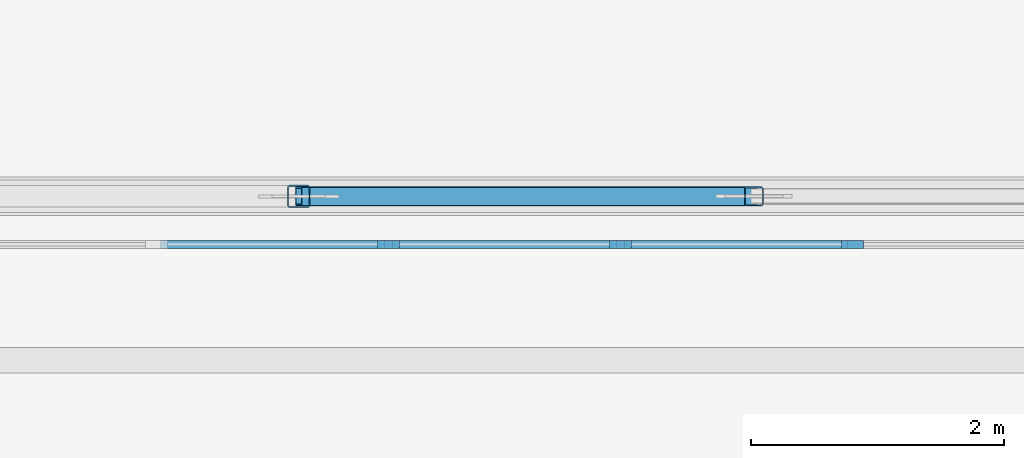
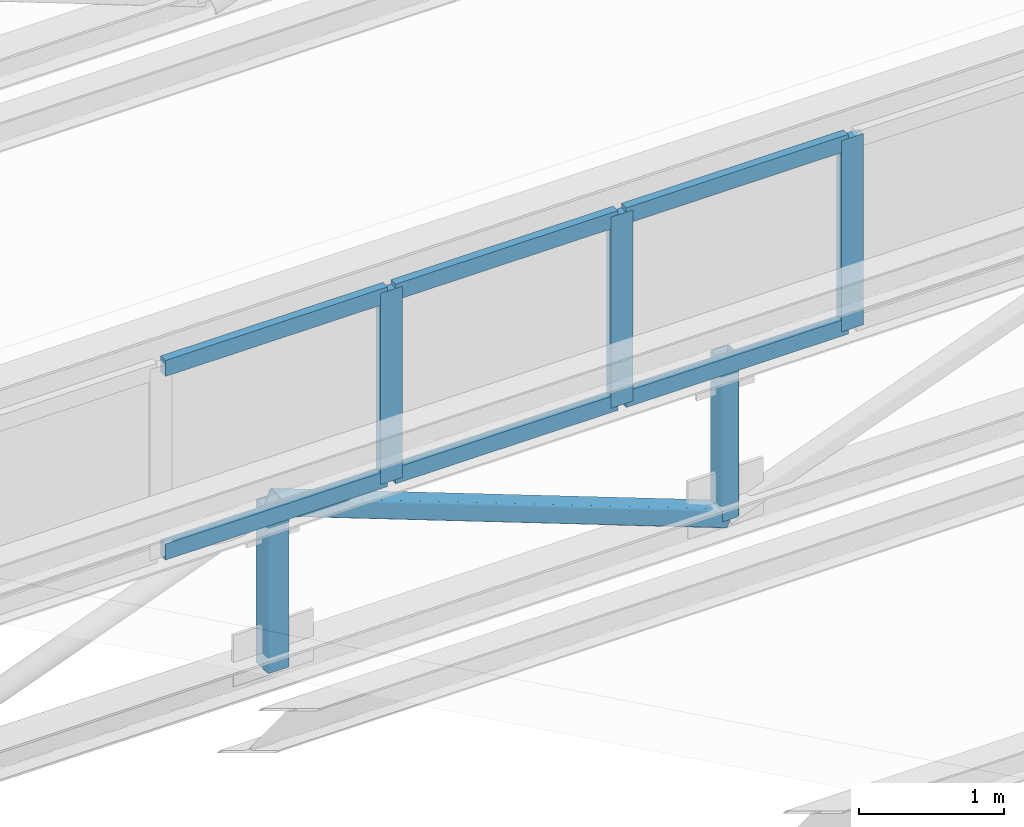
# One storey, part 17 of 98: 12 members, 1 element without a shape of its own.
"""IFC4 building model written with IfcOpenShell, lengths in metres."""

from ifc_helpers import new_model, si_unit, direction, frame, origin, origin_2d, place, context, subcontext, project, spatial, rectangle, hollow_rectangle, extrude, material, layer, layer_set, material_profile, profile_set, type_object, element, aggregate, save


model = new_model("IFC4")

# Units and contexts
model_context = context("Model", 3, precision=1e-05, world=origin(), true_north=direction((0.0, 1.0)))
body_context = subcontext(model_context, "Body", "Model", "MODEL_VIEW")
ifc_project = project(units=[si_unit("LENGTHUNIT", "METRE"), si_unit("AREAUNIT", "SQUARE_METRE"), si_unit("VOLUMEUNIT", "CUBIC_METRE"), si_unit("PLANEANGLEUNIT", "RADIAN"), si_unit("MASSUNIT", "GRAM", prefix="KILO")], contexts=[model_context])

# Site, building, storey
site_placement = place(None, origin())
site = spatial("IfcSite", under=ifc_project, at=site_placement, CompositionType="ELEMENT")
building_placement = place(site_placement, origin())
building = spatial("IfcBuilding", under=site, at=building_placement, Name="Solenvale Faculty of Natural Sciences", CompositionType="ELEMENT")
storey_placement = place(building_placement, frame((0.0, 0.0, 9.0)))
storey = spatial("IfcBuildingStorey", under=building, at=storey_placement, Name="L02", CompositionType="ELEMENT", Elevation=9.0)

# Curtain wall, members
ifc_material_1 = material(Name="Anodised bronze aluminium", Category="aluminium")
ifc_layer = layer(ifc_material_1, 0.1650390625)
ifc_layer_set = layer_set([ifc_layer], Name="Anodised bronze aluminium")
curtain_wall_type = type_object("IfcCurtainWallType", Name="CW-SAW-CLR", PredefinedType="USERDEFINED", material=ifc_layer_set)
curtain_wall_placement = place(storey_placement, origin())
curtain_wall = element("IfcCurtainWall", 1, at=curtain_wall_placement, inside=storey, type_object=curtain_wall_type, Name="L02 Curtain Wall SAW-V1-CW-4-1", ObjectType="NORTH LIGHT CLERESTORY", PredefinedType="USERDEFINED")
ifc_material_profile_1 = material_profile(ifc_material_1, rectangle(XDim=0.06494140625, YDim=0.175048828125, at=origin_2d()), Name="ALU-MUL-65x175")
ifc_profile_set_1 = profile_set([ifc_material_profile_1], Name="Anodised bronze aluminium")
member_type_1 = type_object("IfcMemberType", Name="CWM-ALU-65x175", PredefinedType="MULLION", material=ifc_profile_set_1)
member_1_placement = place(storey_placement, frame((7.978759765625, 28.419921875, 2.22998046875), z_axis=(0.0, 0.0, 1.0), x_axis=(0.0, -1.0, 0.0)))
member_1 = element("IfcMember", 2, at=member_1_placement, type_object=member_type_1, Name="CW-05 mullion 12", PredefinedType="MULLION", context=body_context, shape_type="SweptSolid", body=[
    extrude(rectangle(XDim=0.06494140625, YDim=0.175048828125, at=origin_2d()), origin(), (0.0, 0.0, 1.0), 1.610107421875),
])
member_2_placement = place(storey_placement, frame((6.14404296875, 28.419921875, 2.22998046875), z_axis=(0.0, 0.0, 1.0), x_axis=(0.0, -1.0, 0.0)))
member_2 = element("IfcMember", 3, at=member_2_placement, type_object=member_type_1, Name="CW-05 mullion 13", PredefinedType="MULLION", context=body_context, shape_type="SweptSolid", body=[
    extrude(rectangle(XDim=0.06494140625, YDim=0.175048828125, at=origin_2d()), origin(), (0.0, 0.0, 1.0), 1.610107421875),
])
member_3_placement = place(storey_placement, frame((4.309326171875, 28.419921875, 2.22998046875), z_axis=(0.0, 0.0, 1.0), x_axis=(0.0, -1.0, 0.0)))
member_3 = element("IfcMember", 4, at=member_3_placement, type_object=member_type_1, Name="CW-05 mullion 14", PredefinedType="MULLION", context=body_context, shape_type="SweptSolid", body=[
    extrude(rectangle(XDim=0.06494140625, YDim=0.175048828125, at=origin_2d()), origin(), (0.0, 0.0, 1.0), 1.610107421875),
])
ifc_material_profile_2 = material_profile(ifc_material_1, rectangle(XDim=0.06494140625, YDim=0.135009765625, at=origin_2d()), Name="ALU-TRN-65x135")
ifc_profile_set_2 = profile_set([ifc_material_profile_2], Name="Anodised bronze aluminium")
member_type_2 = type_object("IfcMemberType", Name="CWT-ALU-65x135", PredefinedType="USERDEFINED", material=ifc_profile_set_2)
member_4_placement = place(storey_placement, frame((7.946044921875, 28.419921875, 2.262451171875), z_axis=(-1.0, 0.0, 0.0), x_axis=(0.0, -1.0, 0.0)))
member_4 = element("IfcMember", 5, at=member_4_placement, type_object=member_type_2, Name="CW-05 transom 12.1", ObjectType="TRANSOM", PredefinedType="USERDEFINED", context=body_context, shape_type="SweptSolid", body=[
    extrude(rectangle(XDim=0.06494140625, YDim=0.135009765625, at=origin_2d()), origin(), (0.0, 0.0, 1.0), 1.76953125),
])
member_5_placement = place(storey_placement, frame((7.946044921875, 28.419921875, 3.8076171875), z_axis=(-1.0, 0.0, 0.0), x_axis=(0.0, -1.0, 0.0)))
member_5 = element("IfcMember", 6, at=member_5_placement, type_object=member_type_2, Name="CW-05 transom 12.2", ObjectType="TRANSOM", PredefinedType="USERDEFINED", context=body_context, shape_type="SweptSolid", body=[
    extrude(rectangle(XDim=0.06494140625, YDim=0.135009765625, at=origin_2d()), origin(), (0.0, 0.0, 1.0), 1.76953125),
])
member_6_placement = place(storey_placement, frame((6.111572265625, 28.419921875, 2.262451171875), z_axis=(-1.0, 0.0, 0.0), x_axis=(0.0, -1.0, 0.0)))
member_6 = element("IfcMember", 7, at=member_6_placement, type_object=member_type_2, Name="CW-05 transom 13.1", ObjectType="TRANSOM", PredefinedType="USERDEFINED", context=body_context, shape_type="SweptSolid", body=[
    extrude(rectangle(XDim=0.06494140625, YDim=0.135009765625, at=origin_2d()), origin(), (0.0, 0.0, 1.0), 1.769775390625),
])
member_7_placement = place(storey_placement, frame((6.111572265625, 28.419921875, 3.8076171875), z_axis=(-1.0, 0.0, 0.0), x_axis=(0.0, -1.0, 0.0)))
member_7 = element("IfcMember", 8, at=member_7_placement, type_object=member_type_2, Name="CW-05 transom 13.2", ObjectType="TRANSOM", PredefinedType="USERDEFINED", context=body_context, shape_type="SweptSolid", body=[
    extrude(rectangle(XDim=0.06494140625, YDim=0.135009765625, at=origin_2d()), origin(), (0.0, 0.0, 1.0), 1.769775390625),
])
member_8_placement = place(storey_placement, frame((4.27685546875, 28.419921875, 2.262451171875), z_axis=(-1.0, 0.0, 0.0), x_axis=(0.0, -1.0, 0.0)))
member_8 = element("IfcMember", 9, at=member_8_placement, type_object=member_type_2, Name="CW-05 transom 14.1", ObjectType="TRANSOM", PredefinedType="USERDEFINED", context=body_context, shape_type="SweptSolid", body=[
    extrude(rectangle(XDim=0.06494140625, YDim=0.135009765625, at=origin_2d()), origin(), (0.0, 0.0, 1.0), 1.769775390625),
])
member_9_placement = place(storey_placement, frame((4.27685546875, 28.419921875, 3.8076171875), z_axis=(-1.0, 0.0, 0.0), x_axis=(0.0, -1.0, 0.0)))
member_9 = element("IfcMember", 10, at=member_9_placement, type_object=member_type_2, Name="CW-05 transom 14.2", ObjectType="TRANSOM", PredefinedType="USERDEFINED", context=body_context, shape_type="SweptSolid", body=[
    extrude(rectangle(XDim=0.06494140625, YDim=0.135009765625, at=origin_2d()), origin(), (0.0, 0.0, 1.0), 1.769775390625),
])
aggregate(curtain_wall, [member_1, member_2, member_3, member_4, member_5, member_6, member_7, member_8, member_9])

# Members
ifc_material_2 = material(Name="Steel S355", Category="steel")
ifc_material_profile_3 = material_profile(ifc_material_2, hollow_rectangle(XDim=0.152099609375, YDim=0.152099609375, WallThickness=0.009521484375, InnerFilletRadius=0.009521484375, OuterFilletRadius=0.01904296875, at=origin_2d()), Name="HSS152x152x9.5")
ifc_profile_set_3 = profile_set([ifc_material_profile_3], Name="Steel S355")
member_type_3 = type_object("IfcMemberType", Name="MB-BRC-HSS152", PredefinedType="BRACE", material=ifc_profile_set_3)
member_10_placement = place(storey_placement, frame((3.60009765625, 28.800048828125, 2.050048828125), z_axis=(0.935458110384, 0.0, -0.353437581075), x_axis=(0.0, 1.0, 0.0)))
element("IfcMember", 11, at=member_10_placement, inside=storey, type_object=member_type_3, Name="V1 Truss 4.1 Diagonal 2", PredefinedType="BRACE", context=body_context, shape_type="SweptSolid", body=[
    extrude(hollow_rectangle(XDim=0.152099609375, YDim=0.152099609375, WallThickness=0.009521484375, InnerFilletRadius=0.009521484375, OuterFilletRadius=0.01904296875, at=origin_2d()), origin(), (0.0, 0.0, 1.0), 3.84814453125),
])
ifc_material_profile_4 = material_profile(ifc_material_2, hollow_rectangle(XDim=0.152099609375, YDim=0.152099609375, WallThickness=0.009521484375, InnerFilletRadius=0.009521484375, OuterFilletRadius=0.01904296875, at=origin_2d()), Name="HSS152x152x9.5")
ifc_profile_set_4 = profile_set([ifc_material_profile_4], Name="Steel S355")
member_type_4 = type_object("IfcMemberType", Name="MB-STR-HSS152", PredefinedType="STRUT", material=ifc_profile_set_4)
member_11_placement = place(storey_placement, frame((7.199951171875, 28.800048828125, 0.68994140625), z_axis=(0.0, 0.0, 1.0), x_axis=(1.0, 0.0, 0.0)))
element("IfcMember", 12, at=member_11_placement, inside=storey, type_object=member_type_4, Name="V1 Truss 4.1 Strut 2", PredefinedType="STRUT", context=body_context, shape_type="SweptSolid", body=[
    extrude(hollow_rectangle(XDim=0.152099609375, YDim=0.152099609375, WallThickness=0.009521484375, InnerFilletRadius=0.009521484375, OuterFilletRadius=0.01904296875, at=origin_2d()), origin(), (0.0, 0.0, 1.0), 1.360107421875),
])
ifc_material_profile_5 = material_profile(ifc_material_2, hollow_rectangle(XDim=0.177978515625, YDim=0.177978515625, WallThickness=0.009521484375, InnerFilletRadius=0.009521484375, OuterFilletRadius=0.01904296875, at=origin_2d()), Name="HSS178x178x9.5")
ifc_profile_set_5 = profile_set([ifc_material_profile_5], Name="Steel S355")
member_type_5 = type_object("IfcMemberType", Name="MB-STR-HSS178", PredefinedType="STRUT", material=ifc_profile_set_5)
member_12_placement = place(storey_placement, frame((3.60009765625, 28.800048828125, 0.68994140625), z_axis=(0.0, 0.0, 1.0), x_axis=(1.0, 0.0, 0.0)))
element("IfcMember", 13, at=member_12_placement, inside=storey, type_object=member_type_5, Name="V1 Truss 4.1 Strut 1", PredefinedType="STRUT", context=body_context, shape_type="SweptSolid", body=[
    extrude(hollow_rectangle(XDim=0.177978515625, YDim=0.177978515625, WallThickness=0.009521484375, InnerFilletRadius=0.009521484375, OuterFilletRadius=0.01904296875, at=origin_2d()), origin(), (0.0, 0.0, 1.0), 1.360107421875),
])

save(model, "model.ifc")
